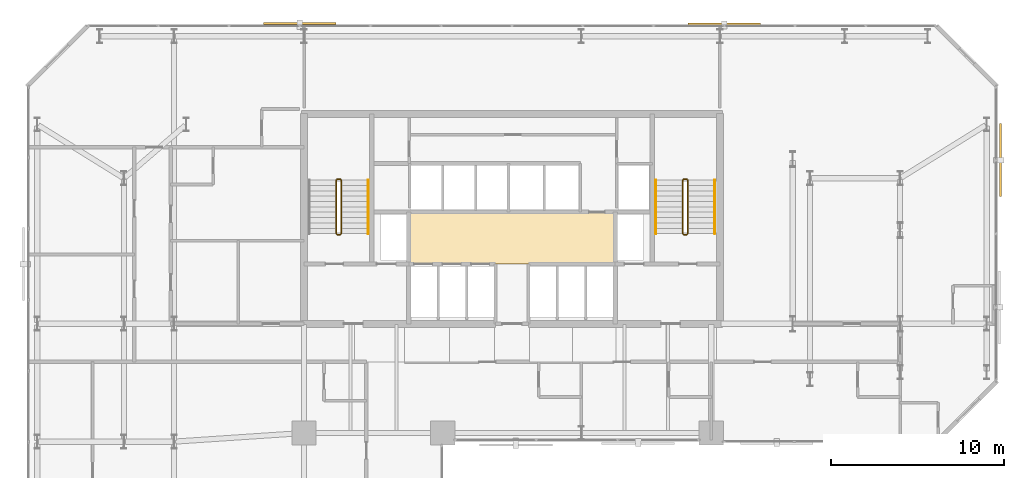
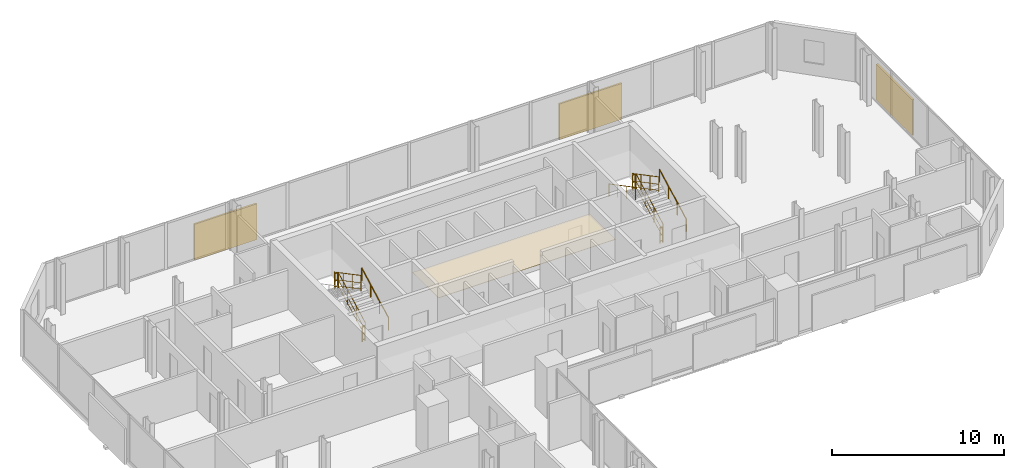
# One storey, part 33 of 33: 11 railings, 3 shading devices, 1 covering.
"""IFC4 building model written with IfcOpenShell, lengths in metres."""

from ifc_helpers import new_model, si_unit, direction, frame, origin, origin_2d, place, context, subcontext, project, spatial, polyline, rectangle, circle, outline, extrude, material, layer, layer_set, type_object, element, save


model = new_model("IFC4")

# Units and contexts
model_context = context("Model", 3, precision=1e-05, world=origin(), true_north=direction((0.0, 1.0)))
body_context = subcontext(model_context, "Body", "Model", "MODEL_VIEW")
ifc_project = project(units=[si_unit("LENGTHUNIT", "METRE"), si_unit("AREAUNIT", "SQUARE_METRE"), si_unit("VOLUMEUNIT", "CUBIC_METRE"), si_unit("PLANEANGLEUNIT", "RADIAN"), si_unit("MASSUNIT", "GRAM", prefix="KILO")], contexts=[model_context])

# Site, building, storey
site_placement = place(None, origin())
site = spatial("IfcSite", under=ifc_project, at=site_placement, CompositionType="ELEMENT")
building_placement = place(site_placement, origin())
building = spatial("IfcBuilding", under=site, at=building_placement, Name="Catumbela Crestline Tower", CompositionType="ELEMENT")
storey_placement = place(building_placement, frame((0.0, 0.0, 47.4)))
storey = spatial("IfcBuildingStorey", under=building, at=storey_placement, Name="L11", CompositionType="ELEMENT", Elevation=47.4)

# Covering
ifc_material_1 = material(Name="Mineral-fibre acoustic ceiling")
ifc_layer = layer(ifc_material_1, 0.03, Name="Mineral-fibre acoustic ceiling")
ifc_layer_set = layer_set([ifc_layer], Name="Mineral-fibre acoustic ceiling")
covering_type = type_object("IfcCoveringType", Name="CC-AC", PredefinedType="CEILING", material=ifc_layer_set)
covering_placement = place(storey_placement, frame((0.0, 0.0, 2.65)))
element("IfcCovering", 1, at=covering_placement, inside=storey, type_object=covering_type, Name="L11 Lift Lobby Acoustic Ceiling", PredefinedType="CEILING", context=body_context, shape_type="SweptSolid", body=[
    extrude(outline(polyline([(22.05, 34.25), (33.95, 34.25), (33.95, 37.25), (22.05, 37.25), (22.05, 34.25)])), origin(), (0.0, 0.0, 1.0), 0.03),
])

# Railings
ifc_material_2 = material(Name="Stainless steel EN 1.4401", Category="steel")
railing_type_1 = type_object("IfcRailingType", Name="RG-1100", PredefinedType="GUARDRAIL", material=ifc_material_2)
railing_1_placement = place(storey_placement, frame((18.14, 36.0, 0.1636)))
element("IfcRailing", 2, at=railing_1_placement, inside=storey, type_object=railing_type_1, Name="L11 ST-01 stair guard 1", PredefinedType="GUARDRAIL", context=body_context, shape_type="SweptSolid", body=[
    extrude(circle(Radius=0.024, at=origin_2d()), frame((0.0, 0.0, 1.076), z_axis=(0.0, 0.884350731049, 0.466823076222), x_axis=(-1.0, 0.0, 0.0)), (0.0, 0.0, 1.0), 3.5054),
    extrude(circle(Radius=0.0156, at=origin_2d()), frame((0.0, 0.0, 0.55), z_axis=(0.0, 0.884350731049, 0.466823076222), x_axis=(-1.0, 0.0, 0.0)), (0.0, 0.0, 1.0), 3.5054),
    extrude(circle(Radius=0.0156, at=origin_2d()), frame((0.0, 0.0, 0.12), z_axis=(0.0, 0.884350731049, 0.466823076222), x_axis=(-1.0, 0.0, 0.0)), (0.0, 0.0, 1.0), 3.5054),
    extrude(circle(Radius=0.021, at=origin_2d()), origin(), (0.0, 0.0, 1.0), 1.052),
    extrude(circle(Radius=0.021, at=origin_2d()), frame((0.0, 1.0333, 0.5455)), (0.0, 0.0, 1.0), 1.052),
    extrude(circle(Radius=0.021, at=origin_2d()), frame((0.0, 2.0667, 1.0909)), (0.0, 0.0, 1.0), 1.052),
    extrude(circle(Radius=0.021, at=origin_2d()), frame((0.0, 3.1, 1.6364)), (0.0, 0.0, 1.0), 1.052),
])
railing_2_placement = place(storey_placement, frame((18.09, 39.15, 1.8)))
element("IfcRailing", 3, at=railing_2_placement, inside=storey, type_object=railing_type_1, Name="L11 ST-01 stair guard 2", PredefinedType="GUARDRAIL", context=body_context, shape_type="SweptSolid", body=[
    extrude(circle(Radius=0.024, at=origin_2d()), frame((0.0, 0.0, 1.076), z_axis=(-1.0, 0.0, 0.0), x_axis=(0.0, -1.0, 0.0)), (0.0, 0.0, 1.0), 0.18),
    extrude(circle(Radius=0.0156, at=origin_2d()), frame((0.0, 0.0, 0.55), z_axis=(-1.0, 0.0, 0.0), x_axis=(0.0, -1.0, 0.0)), (0.0, 0.0, 1.0), 0.18),
    extrude(circle(Radius=0.0156, at=origin_2d()), frame((0.0, 0.0, 0.12), z_axis=(-1.0, 0.0, 0.0), x_axis=(0.0, -1.0, 0.0)), (0.0, 0.0, 1.0), 0.18),
    extrude(circle(Radius=0.021, at=origin_2d()), origin(), (0.0, 0.0, 1.0), 1.052),
    extrude(circle(Radius=0.021, at=origin_2d()), frame((-0.18, 0.0, 0.0)), (0.0, 0.0, 1.0), 1.052),
])
railing_3_placement = place(storey_placement, frame((17.86, 39.1, 1.9636)))
element("IfcRailing", 4, at=railing_3_placement, inside=storey, type_object=railing_type_1, Name="L11 ST-01 stair guard 3", PredefinedType="GUARDRAIL", context=body_context, shape_type="SweptSolid", body=[
    extrude(circle(Radius=0.024, at=origin_2d()), frame((0.0, 0.0, 1.076), z_axis=(0.0, -0.884350731049, 0.466823076222), x_axis=(1.0, 0.0, 0.0)), (0.0, 0.0, 1.0), 3.5054),
    extrude(circle(Radius=0.0156, at=origin_2d()), frame((0.0, 0.0, 0.55), z_axis=(0.0, -0.884350731049, 0.466823076222), x_axis=(1.0, 0.0, 0.0)), (0.0, 0.0, 1.0), 3.5054),
    extrude(circle(Radius=0.0156, at=origin_2d()), frame((0.0, 0.0, 0.12), z_axis=(0.0, -0.884350731049, 0.466823076222), x_axis=(1.0, 0.0, 0.0)), (0.0, 0.0, 1.0), 3.5054),
    extrude(circle(Radius=0.021, at=origin_2d()), origin(), (0.0, 0.0, 1.0), 1.052),
    extrude(circle(Radius=0.021, at=origin_2d()), frame((0.0, -1.0333, 0.5455)), (0.0, 0.0, 1.0), 1.052),
    extrude(circle(Radius=0.021, at=origin_2d()), frame((0.0, -2.0667, 1.0909)), (0.0, 0.0, 1.0), 1.052),
    extrude(circle(Radius=0.021, at=origin_2d()), frame((0.0, -3.1, 1.6364)), (0.0, 0.0, 1.0), 1.052),
])
railing_4_placement = place(storey_placement, frame((18.09, 35.95, 0.0)))
element("IfcRailing", 5, at=railing_4_placement, inside=storey, type_object=railing_type_1, Name="L11 ST-01 stair guard 4", PredefinedType="GUARDRAIL", context=body_context, shape_type="SweptSolid", body=[
    extrude(circle(Radius=0.024, at=origin_2d()), frame((0.0, 0.0, 1.076), z_axis=(-1.0, 0.0, 0.0), x_axis=(0.0, -1.0, 0.0)), (0.0, 0.0, 1.0), 0.18),
    extrude(circle(Radius=0.0156, at=origin_2d()), frame((0.0, 0.0, 0.55), z_axis=(-1.0, 0.0, 0.0), x_axis=(0.0, -1.0, 0.0)), (0.0, 0.0, 1.0), 0.18),
    extrude(circle(Radius=0.0156, at=origin_2d()), frame((0.0, 0.0, 0.12), z_axis=(-1.0, 0.0, 0.0), x_axis=(0.0, -1.0, 0.0)), (0.0, 0.0, 1.0), 0.18),
    extrude(circle(Radius=0.021, at=origin_2d()), origin(), (0.0, 0.0, 1.0), 1.052),
    extrude(circle(Radius=0.021, at=origin_2d()), frame((-0.18, 0.0, 0.0)), (0.0, 0.0, 1.0), 1.052),
])
railing_5_placement = place(storey_placement, frame((38.14, 36.0, 0.1636)))
element("IfcRailing", 6, at=railing_5_placement, inside=storey, type_object=railing_type_1, Name="L11 ST-02 stair guard 1", PredefinedType="GUARDRAIL", context=body_context, shape_type="SweptSolid", body=[
    extrude(circle(Radius=0.024, at=origin_2d()), frame((0.0, 0.0, 1.076), z_axis=(0.0, 0.884350731049, 0.466823076222), x_axis=(-1.0, 0.0, 0.0)), (0.0, 0.0, 1.0), 3.5054),
    extrude(circle(Radius=0.0156, at=origin_2d()), frame((0.0, 0.0, 0.55), z_axis=(0.0, 0.884350731049, 0.466823076222), x_axis=(-1.0, 0.0, 0.0)), (0.0, 0.0, 1.0), 3.5054),
    extrude(circle(Radius=0.0156, at=origin_2d()), frame((0.0, 0.0, 0.12), z_axis=(0.0, 0.884350731049, 0.466823076222), x_axis=(-1.0, 0.0, 0.0)), (0.0, 0.0, 1.0), 3.5054),
    extrude(circle(Radius=0.021, at=origin_2d()), origin(), (0.0, 0.0, 1.0), 1.052),
    extrude(circle(Radius=0.021, at=origin_2d()), frame((0.0, 1.0333, 0.5455)), (0.0, 0.0, 1.0), 1.052),
    extrude(circle(Radius=0.021, at=origin_2d()), frame((0.0, 2.0667, 1.0909)), (0.0, 0.0, 1.0), 1.052),
    extrude(circle(Radius=0.021, at=origin_2d()), frame((0.0, 3.1, 1.6364)), (0.0, 0.0, 1.0), 1.052),
])
railing_6_placement = place(storey_placement, frame((38.09, 39.15, 1.8)))
element("IfcRailing", 7, at=railing_6_placement, inside=storey, type_object=railing_type_1, Name="L11 ST-02 stair guard 2", PredefinedType="GUARDRAIL", context=body_context, shape_type="SweptSolid", body=[
    extrude(circle(Radius=0.024, at=origin_2d()), frame((0.0, 0.0, 1.076), z_axis=(-1.0, 0.0, 0.0), x_axis=(0.0, -1.0, 0.0)), (0.0, 0.0, 1.0), 0.18),
    extrude(circle(Radius=0.0156, at=origin_2d()), frame((0.0, 0.0, 0.55), z_axis=(-1.0, 0.0, 0.0), x_axis=(0.0, -1.0, 0.0)), (0.0, 0.0, 1.0), 0.18),
    extrude(circle(Radius=0.0156, at=origin_2d()), frame((0.0, 0.0, 0.12), z_axis=(-1.0, 0.0, 0.0), x_axis=(0.0, -1.0, 0.0)), (0.0, 0.0, 1.0), 0.18),
    extrude(circle(Radius=0.021, at=origin_2d()), origin(), (0.0, 0.0, 1.0), 1.052),
    extrude(circle(Radius=0.021, at=origin_2d()), frame((-0.18, 0.0, 0.0)), (0.0, 0.0, 1.0), 1.052),
])
railing_7_placement = place(storey_placement, frame((37.86, 39.1, 1.9636)))
element("IfcRailing", 8, at=railing_7_placement, inside=storey, type_object=railing_type_1, Name="L11 ST-02 stair guard 3", PredefinedType="GUARDRAIL", context=body_context, shape_type="SweptSolid", body=[
    extrude(circle(Radius=0.024, at=origin_2d()), frame((0.0, 0.0, 1.076), z_axis=(0.0, -0.884350731049, 0.466823076222), x_axis=(1.0, 0.0, 0.0)), (0.0, 0.0, 1.0), 3.5054),
    extrude(circle(Radius=0.0156, at=origin_2d()), frame((0.0, 0.0, 0.55), z_axis=(0.0, -0.884350731049, 0.466823076222), x_axis=(1.0, 0.0, 0.0)), (0.0, 0.0, 1.0), 3.5054),
    extrude(circle(Radius=0.0156, at=origin_2d()), frame((0.0, 0.0, 0.12), z_axis=(0.0, -0.884350731049, 0.466823076222), x_axis=(1.0, 0.0, 0.0)), (0.0, 0.0, 1.0), 3.5054),
    extrude(circle(Radius=0.021, at=origin_2d()), origin(), (0.0, 0.0, 1.0), 1.052),
    extrude(circle(Radius=0.021, at=origin_2d()), frame((0.0, -1.0333, 0.5455)), (0.0, 0.0, 1.0), 1.052),
    extrude(circle(Radius=0.021, at=origin_2d()), frame((0.0, -2.0667, 1.0909)), (0.0, 0.0, 1.0), 1.052),
    extrude(circle(Radius=0.021, at=origin_2d()), frame((0.0, -3.1, 1.6364)), (0.0, 0.0, 1.0), 1.052),
])
railing_8_placement = place(storey_placement, frame((38.09, 35.95, 0.0)))
element("IfcRailing", 9, at=railing_8_placement, inside=storey, type_object=railing_type_1, Name="L11 ST-02 stair guard 4", PredefinedType="GUARDRAIL", context=body_context, shape_type="SweptSolid", body=[
    extrude(circle(Radius=0.024, at=origin_2d()), frame((0.0, 0.0, 1.076), z_axis=(-1.0, 0.0, 0.0), x_axis=(0.0, -1.0, 0.0)), (0.0, 0.0, 1.0), 0.18),
    extrude(circle(Radius=0.0156, at=origin_2d()), frame((0.0, 0.0, 0.55), z_axis=(-1.0, 0.0, 0.0), x_axis=(0.0, -1.0, 0.0)), (0.0, 0.0, 1.0), 0.18),
    extrude(circle(Radius=0.0156, at=origin_2d()), frame((0.0, 0.0, 0.12), z_axis=(-1.0, 0.0, 0.0), x_axis=(0.0, -1.0, 0.0)), (0.0, 0.0, 1.0), 0.18),
    extrude(circle(Radius=0.021, at=origin_2d()), origin(), (0.0, 0.0, 1.0), 1.052),
    extrude(circle(Radius=0.021, at=origin_2d()), frame((-0.18, 0.0, 0.0)), (0.0, 0.0, 1.0), 1.052),
])
railing_type_2 = type_object("IfcRailingType", Name="RH-0900", PredefinedType="HANDRAIL", material=ifc_material_2)
for number, where, name in (
    (10, (19.7, 36.0, 0.1636), "L11 ST-01 stair handrail 1"),
    (11, (39.7, 36.0, 0.1636), "L11 ST-02 stair handrail 1"),
):
    element("IfcRailing", number, at=place(storey_placement, frame(where)), inside=storey, type_object=railing_type_2, Name=name, PredefinedType="HANDRAIL", context=body_context, shape_type="SweptSolid", body=[
        extrude(circle(Radius=0.024, at=origin_2d()), frame((0.0, 0.0, 0.876), z_axis=(0.0, 0.884350731049, 0.466823076222), x_axis=(-1.0, 0.0, 0.0)), (0.0, 0.0, 1.0), 3.5054),
        extrude(circle(Radius=0.021, at=origin_2d()), origin(), (0.0, 0.0, 1.0), 0.852),
        extrude(circle(Radius=0.021, at=origin_2d()), frame((0.0, 1.0333, 0.5455)), (0.0, 0.0, 1.0), 0.852),
        extrude(circle(Radius=0.021, at=origin_2d()), frame((0.0, 2.0667, 1.0909)), (0.0, 0.0, 1.0), 0.852),
        extrude(circle(Radius=0.021, at=origin_2d()), frame((0.0, 3.1, 1.6364)), (0.0, 0.0, 1.0), 0.852),
    ])
railing_9_placement = place(storey_placement, frame((36.3, 39.1, 1.9636)))
element("IfcRailing", 12, at=railing_9_placement, inside=storey, type_object=railing_type_2, Name="L11 ST-02 stair handrail 2", PredefinedType="HANDRAIL", context=body_context, shape_type="SweptSolid", body=[
    extrude(circle(Radius=0.024, at=origin_2d()), frame((0.0, 0.0, 0.876), z_axis=(0.0, -0.884350731049, 0.466823076222), x_axis=(1.0, 0.0, 0.0)), (0.0, 0.0, 1.0), 3.5054),
    extrude(circle(Radius=0.021, at=origin_2d()), origin(), (0.0, 0.0, 1.0), 0.852),
    extrude(circle(Radius=0.021, at=origin_2d()), frame((0.0, -1.0333, 0.5455)), (0.0, 0.0, 1.0), 0.852),
    extrude(circle(Radius=0.021, at=origin_2d()), frame((0.0, -2.0667, 1.0909)), (0.0, 0.0, 1.0), 0.852),
    extrude(circle(Radius=0.021, at=origin_2d()), frame((0.0, -3.1, 1.6364)), (0.0, 0.0, 1.0), 0.852),
])

# Shading devices
ifc_material_3 = material(Name="Extruded terracotta ceramic", Category="masonry")
shading_device_type_1 = type_object("IfcShadingDeviceType", Name="ST-180", PredefinedType="USERDEFINED", material=ifc_material_3)
shading_device_1_placement = place(storey_placement, frame((40.25, 48.099, -0.1), z_axis=(0.0, 0.0, 1.0), x_axis=(-1.0, 0.0, 0.0)))
element("IfcShadingDevice", 13, at=shading_device_1_placement, inside=storey, type_object=shading_device_type_1, Name="L11 Perforated Terracotta Solar Screen 95 (180 mm)", ObjectType="SCREEN", PredefinedType="USERDEFINED", context=body_context, shape_type="SweptSolid", body=[
    extrude(rectangle(XDim=4.2, YDim=0.12, at=origin_2d()), origin(), (0.0, 0.0, 1.0), 2.55),
])
shading_device_type_2 = type_object("IfcShadingDeviceType", Name="ST-260", PredefinedType="USERDEFINED", material=ifc_material_3)
shading_device_2_placement = place(storey_placement, frame((15.75, 48.143, -0.1), z_axis=(0.0, 0.0, 1.0), x_axis=(-1.0, 0.0, 0.0)))
element("IfcShadingDevice", 14, at=shading_device_2_placement, inside=storey, type_object=shading_device_type_2, Name="L11 Perforated Terracotta Solar Screen 96 (260 mm)", ObjectType="SCREEN", PredefinedType="USERDEFINED", context=body_context, shape_type="SweptSolid", body=[
    extrude(rectangle(XDim=4.2, YDim=0.12, at=origin_2d()), origin(), (0.0, 0.0, 1.0), 2.55),
])
shading_device_type_3 = type_object("IfcShadingDeviceType", Name="ST-340", PredefinedType="USERDEFINED", material=ifc_material_3)
shading_device_3_placement = place(storey_placement, frame((56.187, 40.25, -0.1), z_axis=(0.0, 0.0, 1.0), x_axis=(0.0, 1.0, 0.0)))
element("IfcShadingDevice", 15, at=shading_device_3_placement, inside=storey, type_object=shading_device_type_3, Name="L11 Perforated Terracotta Solar Screen 94 (340 mm)", ObjectType="SCREEN", PredefinedType="USERDEFINED", context=body_context, shape_type="SweptSolid", body=[
    extrude(rectangle(XDim=4.2, YDim=0.12, at=origin_2d()), origin(), (0.0, 0.0, 1.0), 2.55),
])

save(model, "model.ifc")
